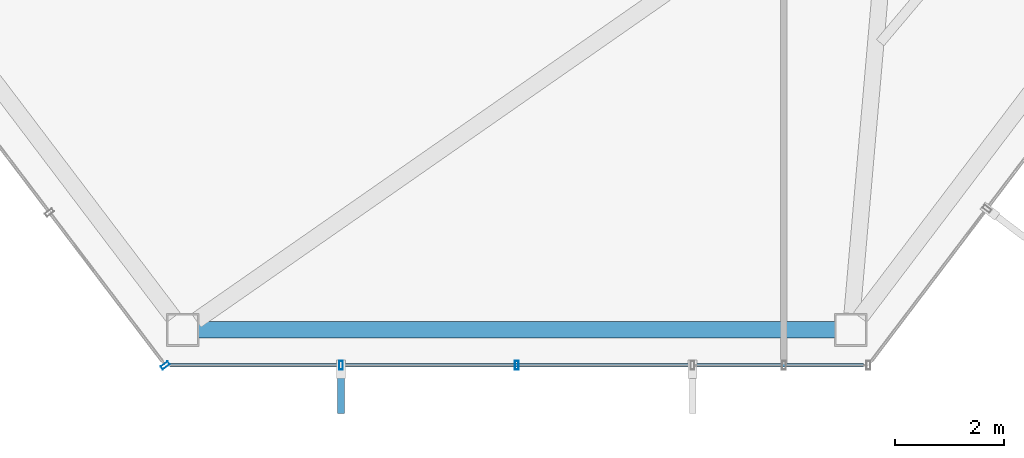
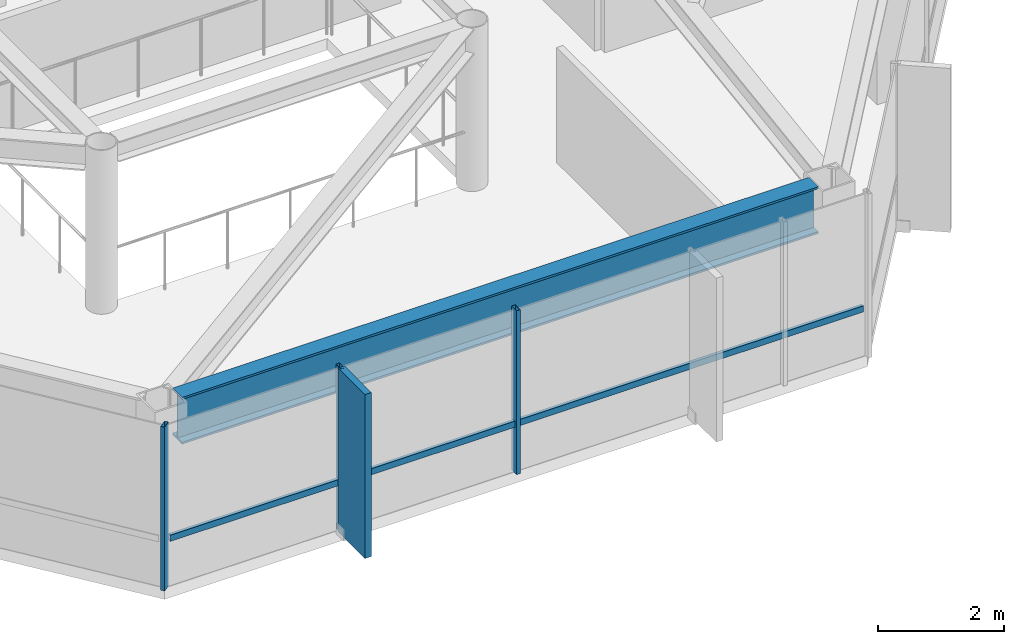
# One storey, part 5 of 25: 5 members, 1 beam, 2 elements without a shape of their own.
"""IFC4 building model written with IfcOpenShell, lengths in metres."""

from ifc_helpers import new_model, si_unit, direction, frame, origin, origin_2d, place, context, subcontext, project, spatial, rectangle, hollow_rectangle, i_section, extrude, material, layer, layer_set, material_profile, profile_set, type_object, element, aggregate, save


model = new_model("IFC4")

# Units and contexts
model_context = context("Model", 3, precision=1e-05, world=origin(), true_north=direction((0.0, 1.0)))
body_context = subcontext(model_context, "Body", "Model", "MODEL_VIEW")
ifc_project = project(units=[si_unit("LENGTHUNIT", "METRE"), si_unit("AREAUNIT", "SQUARE_METRE"), si_unit("VOLUMEUNIT", "CUBIC_METRE"), si_unit("PLANEANGLEUNIT", "RADIAN"), si_unit("MASSUNIT", "GRAM", prefix="KILO")], contexts=[model_context])

# Site, building, storey
site_placement = place(None, origin())
site = spatial("IfcSite", under=ifc_project, at=site_placement, CompositionType="ELEMENT")
building_placement = place(site_placement, origin())
building = spatial("IfcBuilding", under=site, at=building_placement, Name="Zarrinselat Tower", CompositionType="ELEMENT")
storey_placement = place(building_placement, frame((0.0, 0.0, 208.760009765625)))
storey = spatial("IfcBuildingStorey", under=building, at=storey_placement, Name="L51", CompositionType="ELEMENT", Elevation=208.760009765625)

# Beam
ifc_material_1 = material(Name="Steel S460M", Category="steel")
ifc_material_profile_1 = material_profile(ifc_material_1, i_section(OverallWidth=0.302001953125, OverallDepth=0.909912109375, WebThickness=0.02099609375, FlangeThickness=0.0400390625, at=origin_2d()), Name="HEM 900")
ifc_profile_set_1 = profile_set([ifc_material_profile_1], Name="Steel S460M")
beam_type = type_object("IfcBeamType", Name="BM-HEM900", PredefinedType="BEAM", material=ifc_profile_set_1)
beam_placement = place(storey_placement, frame((32.56201171875, 18.560546875, 2.72509765625), z_axis=(1.0, 0.0, 0.0), x_axis=(0.0, 1.0, 0.0)))
element("IfcBeam", 1, at=beam_placement, inside=storey, type_object=beam_type, Name="L51 Perimeter Spandrel Girder SP10", PredefinedType="BEAM", context=body_context, shape_type="SweptSolid", body=[
    extrude(i_section(OverallWidth=0.302001953125, OverallDepth=0.909912109375, WebThickness=0.02099609375, FlangeThickness=0.0400390625, at=origin_2d()), origin(), (0.0, 0.0, 1.0), 11.676025390625),
])

# Curtain wall, member
ifc_material_2 = material(Name="Extruded Aluminium Alloy EN AW-6063 T6", Category="aluminium")
ifc_layer = layer(ifc_material_2, 0.169921875)
ifc_layer_set = layer_set([ifc_layer], Name="Extruded Aluminium Alloy EN AW-6063 T6")
curtain_wall_type = type_object("IfcCurtainWallType", Name="CWS-RES", PredefinedType="NOTDEFINED", material=ifc_layer_set)
curtain_wall_1_placement = place(storey_placement, origin())
curtain_wall_1 = element("IfcCurtainWall", 2, at=curtain_wall_1_placement, inside=storey, type_object=curtain_wall_type, Name="L51 Unitised Curtain Wall CW-L51-E03", PredefinedType="NOTDEFINED")
ifc_material_3 = material(Name="Extruded Aluminium Alloy EN AW-6063 T6", Category="aluminium")
ifc_material_profile_2 = material_profile(ifc_material_3, hollow_rectangle(XDim=0.070068359375, YDim=0.159912109375, WallThickness=0.00390625, at=origin_2d()), Name="RHS 160x70x4")
ifc_profile_set_2 = profile_set([ifc_material_profile_2], Name="Extruded Aluminium Alloy EN AW-6063 T6")
member_type_1 = type_object("IfcMemberType", Name="MEM-CW-MUL2", PredefinedType="MULLION", material=ifc_profile_set_2)
member_1_placement = place(storey_placement, frame((31.950927734375, 17.910400390625, 0.0), z_axis=(0.0, 0.0, 1.0), x_axis=(0.603858850791, -0.797091267247, 0.0)))
member_1 = element("IfcMember", 3, at=member_1_placement, type_object=member_type_1, Name="CW-L51-E03 Mullion 9", PredefinedType="MULLION", context=body_context, shape_type="SweptSolid", body=[
    extrude(hollow_rectangle(XDim=0.070068359375, YDim=0.159912109375, WallThickness=0.00390625, at=origin_2d()), origin(), (0.0, 0.0, 1.0), 3.179931640625),
])
aggregate(curtain_wall_1, [member_1])

# Curtain wall, members
curtain_wall_2_placement = place(storey_placement, origin())
curtain_wall_2 = element("IfcCurtainWall", 4, at=curtain_wall_2_placement, inside=storey, type_object=curtain_wall_type, Name="L51 Unitised Curtain Wall CW-L51-E04", PredefinedType="NOTDEFINED")
member_2_placement = place(storey_placement, frame((35.175537109375, 17.910400390625, 0.0), z_axis=(0.0, 0.0, 1.0), x_axis=(1.0, 0.0, 0.0)))
member_2 = element("IfcMember", 5, at=member_2_placement, type_object=member_type_1, Name="CW-L51-E04 Mullion 1", PredefinedType="MULLION", context=body_context, shape_type="SweptSolid", body=[
    extrude(hollow_rectangle(XDim=0.070068359375, YDim=0.159912109375, WallThickness=0.00390625, at=origin_2d()), origin(), (0.0, 0.0, 1.0), 3.179931640625),
])
member_3_placement = place(storey_placement, frame((38.39990234375, 17.910400390625, 0.0), z_axis=(0.0, 0.0, 1.0), x_axis=(1.0, 0.0, 0.0)))
member_3 = element("IfcMember", 6, at=member_3_placement, type_object=member_type_1, Name="CW-L51-E04 Mullion 2", PredefinedType="MULLION", context=body_context, shape_type="SweptSolid", body=[
    extrude(hollow_rectangle(XDim=0.070068359375, YDim=0.159912109375, WallThickness=0.00390625, at=origin_2d()), origin(), (0.0, 0.0, 1.0), 3.179931640625),
])
ifc_material_4 = material(Name="Extruded Aluminium Alloy EN AW-6063 T6", Category="aluminium")
ifc_material_profile_3 = material_profile(ifc_material_4, hollow_rectangle(XDim=0.06005859375, YDim=0.1201171875, WallThickness=0.00390625, at=origin_2d()), Name="RHS 120x60x4")
ifc_profile_set_3 = profile_set([ifc_material_profile_3], Name="Extruded Aluminium Alloy EN AW-6063 T6")
member_type_2 = type_object("IfcMemberType", Name="MEM-CW-TRN2", PredefinedType="USERDEFINED", material=ifc_profile_set_3)
member_4_placement = place(storey_placement, frame((32.041015625, 17.910400390625, 0.949951171875), z_axis=(1.0, 0.0, 0.0), x_axis=(0.0, 1.0, 0.0)))
member_4 = element("IfcMember", 7, at=member_4_placement, type_object=member_type_2, Name="CW-L51-E04 Transom 1", ObjectType="TRANSOM", PredefinedType="USERDEFINED", context=body_context, shape_type="SweptSolid", body=[
    extrude(hollow_rectangle(XDim=0.06005859375, YDim=0.1201171875, WallThickness=0.00390625, at=origin_2d()), origin(), (0.0, 0.0, 1.0), 12.718017578125),
])
ifc_material_5 = material(Name="Honed Cream Travertine Stone", Category="masonry")
ifc_material_profile_4 = material_profile(ifc_material_5, rectangle(XDim=0.1201171875, YDim=0.85009765625, at=origin_2d()), Name="FIN 850x120")
ifc_profile_set_4 = profile_set([ifc_material_profile_4], Name="Honed Cream Travertine Stone")
member_type_3 = type_object("IfcMemberType", Name="MEM-STONE-FIN", PredefinedType="USERDEFINED", material=ifc_profile_set_4)
member_5_placement = place(storey_placement, frame((35.175537109375, 17.450439453125, 0.0), z_axis=(0.0, 0.0, 1.0), x_axis=(-1.0, 0.0, 0.0)))
member_5 = element("IfcMember", 8, at=member_5_placement, type_object=member_type_3, Name="L51 Stone Shading Fin CW-L51-E04-01", ObjectType="FIN", PredefinedType="USERDEFINED", context=body_context, shape_type="SweptSolid", body=[
    extrude(rectangle(XDim=0.1201171875, YDim=0.85009765625, at=origin_2d()), origin(), (0.0, 0.0, 1.0), 3.179931640625),
])
aggregate(curtain_wall_2, [member_2, member_5, member_3, member_4])

save(model, "model.ifc")
